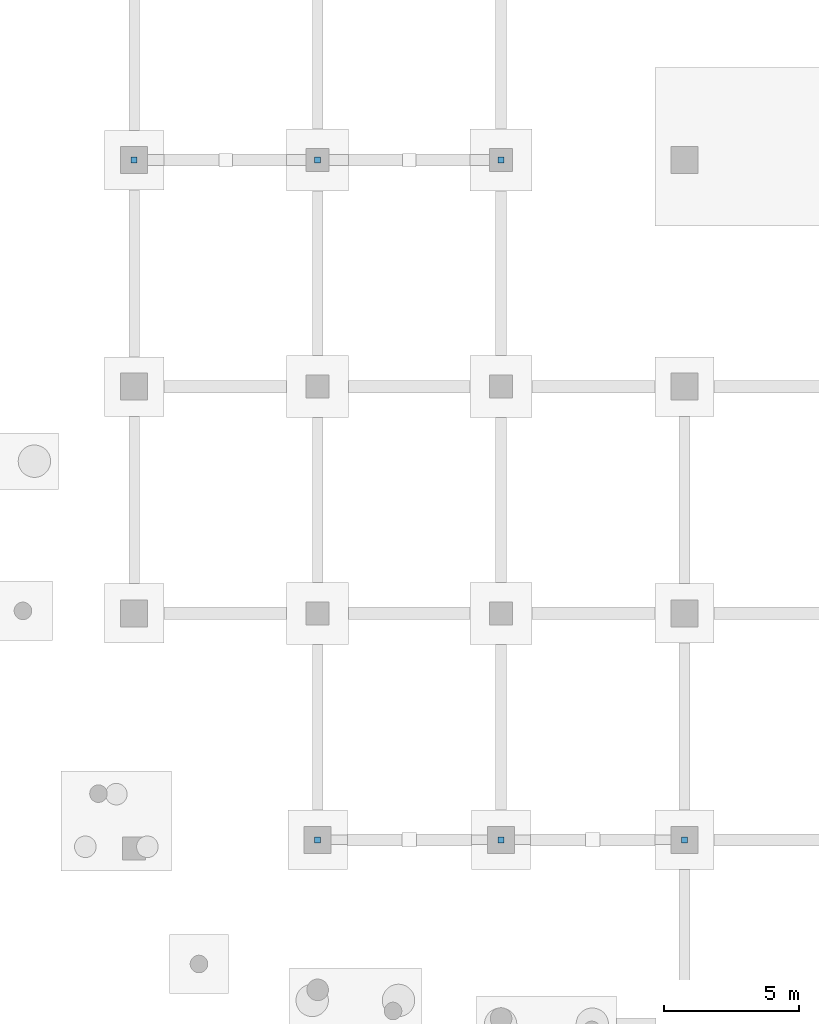
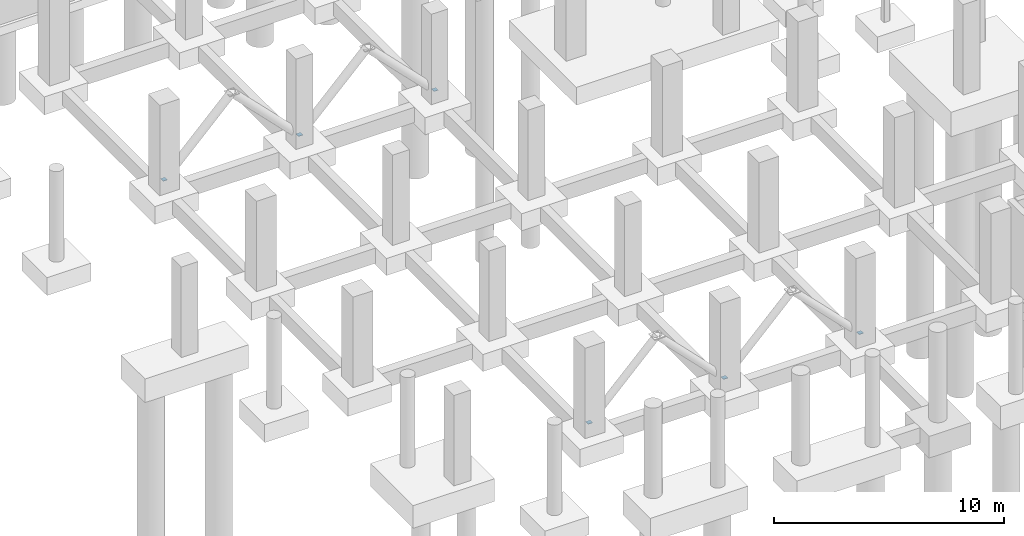
# One storey, part 39 of 44: 6 discrete accessories.
"""IFC4 building model written with IfcOpenShell, lengths in metres."""

from ifc_helpers import new_model, si_unit, direction, frame, origin, origin_2d, place, context, subcontext, project, spatial, rectangle, extrude, material, layer, layer_set, type_object, element, save


model = new_model("IFC4")

# Units and contexts
model_context = context("Model", 3, precision=1e-05, world=origin(), true_north=direction((0.0, 1.0)))
body_context = subcontext(model_context, "Body", "Model", "MODEL_VIEW")
ifc_project = project(units=[si_unit("LENGTHUNIT", "METRE"), si_unit("AREAUNIT", "SQUARE_METRE"), si_unit("VOLUMEUNIT", "CUBIC_METRE"), si_unit("PLANEANGLEUNIT", "RADIAN"), si_unit("MASSUNIT", "GRAM", prefix="KILO")], contexts=[model_context])

# Site, building, storey
site_placement = place(None, origin())
site = spatial("IfcSite", under=ifc_project, at=site_placement, CompositionType="ELEMENT")
building_placement = place(site_placement, origin())
building = spatial("IfcBuilding", under=site, at=building_placement, Name="Kisaragi Civic Commons", CompositionType="ELEMENT")
storey_placement = place(building_placement, frame((0.0, 0.0, -4.800048828125)))
storey = spatial("IfcBuildingStorey", under=building, at=storey_placement, Name="B1", CompositionType="ELEMENT", Elevation=-4.800048828125)

# Discrete accessories
ifc_material = material(Name="Steel SN490 (SN490B)", Category="steel")
ifc_layer = layer(ifc_material, 0.02392578125, Name="Steel SN490 (SN490B)", Category="steel")
ifc_layer_set = layer_set([ifc_layer], Name="Steel SN490 (SN490B)")
discrete_accessory_type = type_object("IfcDiscreteAccessoryType", Name="CN-01", PredefinedType="SHOE", material=ifc_layer_set)
for number, where, z_axis, x_axis, name in (
    (1, (13.60009765625, 8.39990234375, 0.38818359375), (0.0, 0.0, 1.0), (1.0, 0.0, 0.0), "Brace/strut steel end connection 1"),
    (2, (20.39990234375, 8.39990234375, 0.38818359375), (0.0, 0.0, 1.0), (1.0, 0.0, 0.0), "Brace/strut steel end connection 2"),
    (3, (27.199951171875, 8.39990234375, 0.38818359375), (0.0, 0.0, 1.0), (1.0, 0.0, 0.0), "Brace/strut steel end connection 3"),
    (4, (6.800048828125, 33.60009765625, 0.38818359375), (0.0, 0.0, 1.0), (1.0, 0.0, 0.0), "Brace/strut steel end connection 4"),
    (5, (13.60009765625, 33.60009765625, 0.38818359375), (0.0, 0.0, 1.0), (1.0, 0.0, 0.0), "Brace/strut steel end connection 5"),
    (6, (20.39990234375, 33.60009765625, 0.38818359375), (0.0, 0.0, 1.0), (1.0, 0.0, 0.0), "Brace/strut steel end connection 6"),
):
    element("IfcDiscreteAccessory", number, at=place(storey_placement, frame(where, z_axis=z_axis, x_axis=x_axis)), inside=storey, type_object=discrete_accessory_type, Name=name, PredefinedType="SHOE", context=body_context, shape_type="SweptSolid", body=[
        extrude(rectangle(XDim=0.219970703125, YDim=0.219970703125, at=origin_2d()), origin(), (0.0, 0.0, 1.0), 0.02392578125),
    ])

save(model, "model.ifc")
